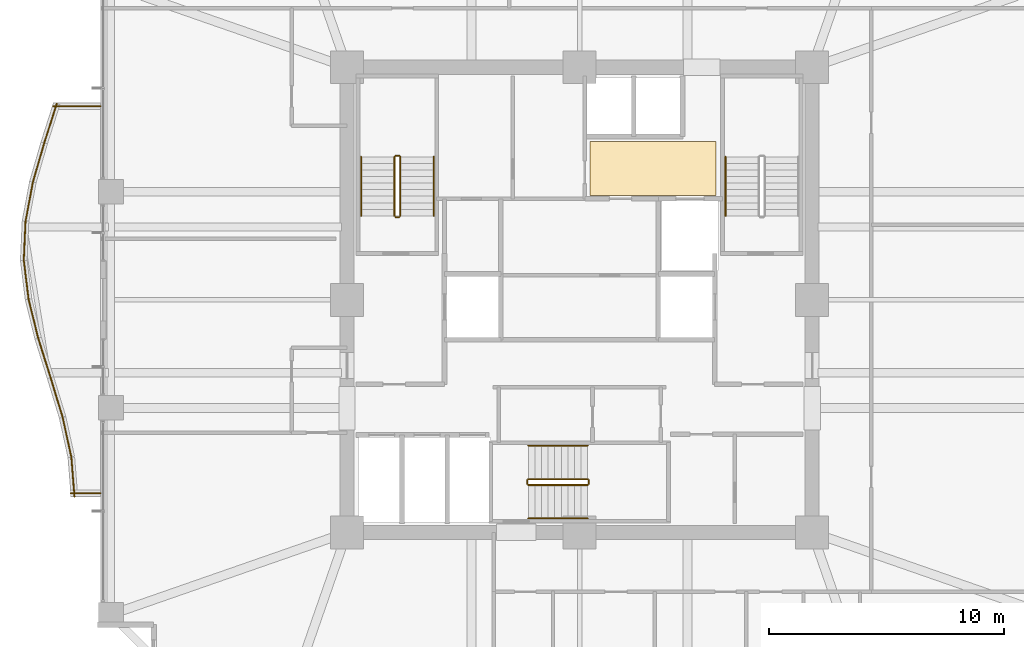
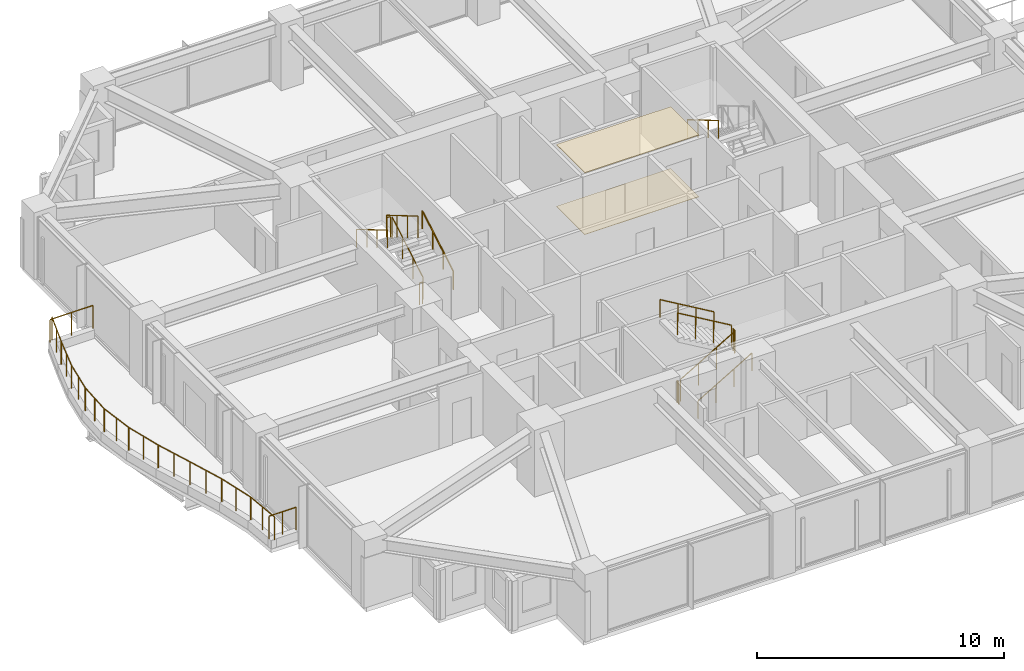
# One storey, part 35 of 36: 25 railings, 2 coverings.
"""IFC4 building model written with IfcOpenShell, lengths in metres."""

from ifc_helpers import new_model, si_unit, direction, frame, origin, origin_2d, place, context, subcontext, project, spatial, polyline, circle, outline, extrude, material, layer, layer_set, type_object, element, save


model = new_model("IFC4")

# Units and contexts
model_context = context("Model", 3, precision=1e-05, world=origin(), true_north=direction((0.0, 1.0)))
body_context = subcontext(model_context, "Body", "Model", "MODEL_VIEW")
ifc_project = project(units=[si_unit("LENGTHUNIT", "METRE"), si_unit("AREAUNIT", "SQUARE_METRE"), si_unit("VOLUMEUNIT", "CUBIC_METRE"), si_unit("PLANEANGLEUNIT", "RADIAN"), si_unit("MASSUNIT", "GRAM", prefix="KILO")], contexts=[model_context])

# Site, building, storey
site_placement = place(None, origin())
site = spatial("IfcSite", under=ifc_project, at=site_placement, CompositionType="ELEMENT")
building_placement = place(site_placement, origin())
building = spatial("IfcBuilding", under=site, at=building_placement, Name="Kolvaren Belvedere", CompositionType="ELEMENT")
storey_placement = place(building_placement, frame((0.0, 0.0, 92.0)))
storey = spatial("IfcBuildingStorey", under=building, at=storey_placement, Name="L26", CompositionType="ELEMENT", Elevation=92.0)

# Coverings
ifc_material_1 = material(Name="Acoustic perforated gypsum board", Category="gypsum")
ifc_layer_1 = layer(ifc_material_1, 0.02490234375)
ifc_layer_set_1 = layer_set([ifc_layer_1], Name="Acoustic perforated gypsum board")
covering_type_1 = type_object("IfcCoveringType", Name="COV-CEIL-GYP", PredefinedType="CEILING", material=ifc_layer_set_1)
covering_1_placement = place(storey_placement, frame((0.0, 0.0, 3.054931640625)))
element("IfcCovering", 1, at=covering_1_placement, inside=storey, type_object=covering_type_1, Name="L26 Lift Lobby Acoustic Baffle Ceiling", PredefinedType="CEILING", context=body_context, shape_type="SweptSolid", body=[
    extrude(outline(polyline([(0.449951171875, 4.449951171875), (5.800048828125, 4.449951171875), (5.800048828125, 6.75), (0.449951171875, 6.75), (0.449951171875, 4.449951171875)])), origin(), (0.0, 0.0, 1.0), 0.025146484375),
])
ifc_material_2 = material(Name="Engineered Pacific white oak", Category="timber")
ifc_layer_2 = layer(ifc_material_2, 0.02001953125)
ifc_layer_set_2 = layer_set([ifc_layer_2], Name="Engineered Pacific white oak")
covering_type_2 = type_object("IfcCoveringType", Name="COV-FLR-OAK", PredefinedType="FLOORING", material=ifc_layer_set_2)
covering_2_placement = place(storey_placement, origin())
element("IfcCovering", 2, at=covering_2_placement, inside=storey, type_object=covering_type_2, Name="L26 Lift Lobby Finish Flooring", PredefinedType="FLOORING", context=body_context, shape_type="SweptSolid", body=[
    extrude(outline(polyline([(0.449951171875, 4.449951171875), (5.800048828125, 4.449951171875), (5.800048828125, 6.75), (0.449951171875, 6.75), (0.449951171875, 4.449951171875)])), origin(), (0.0, 0.0, 1.0), 0.02001953125),
])

# Railings
ifc_material_3 = material(Name="Anodised pale-metal aluminium & laminated glass guard", Category="aluminium")
railing_type_1 = type_object("IfcRailingType", Name="RL-GUARD-1150", PredefinedType="GUARDRAIL", material=ifc_material_3)
railing_1_placement = place(storey_placement, frame((-22.25390625, 8.351318359375, 0.3798828125)))
element("IfcRailing", 3, at=railing_1_placement, inside=storey, type_object=railing_type_1, Name="L26 Exterior Deck Safety Guard BAL-W-1", PredefinedType="GUARDRAIL", context=body_context, shape_type="SweptSolid", body=[
    extrude(circle(Radius=0.02392578125, at=origin_2d()), frame((0.0, 0.0, 1.1259765625), z_axis=(-0.304032153573, -0.952661770826, 0.0), x_axis=(0.952661770826, -0.304032153573, 0.0)), (0.0, 0.0, 1.0), 1.763427734375),
    extrude(circle(Radius=0.02099609375, at=origin_2d()), origin(), (0.0, 0.0, 1.0), 1.101806640625),
    extrude(circle(Radius=0.02099609375, at=origin_2d()), frame((-0.26806640625, -0.83984375, 0.0)), (0.0, 0.0, 1.0), 1.101806640625),
    extrude(circle(Radius=0.02099609375, at=origin_2d()), frame((-0.5361328125, -1.679931640625, 0.0)), (0.0, 0.0, 1.0), 1.101806640625),
])
railing_2_placement = place(storey_placement, frame((-22.788818359375, 6.675537109375, 0.3798828125)))
element("IfcRailing", 4, at=railing_2_placement, inside=storey, type_object=railing_type_1, Name="L26 Exterior Deck Safety Guard BAL-W-2", PredefinedType="GUARDRAIL", context=body_context, shape_type="SweptSolid", body=[
    extrude(circle(Radius=0.02392578125, at=origin_2d()), frame((0.0, 0.0, 1.1259765625), z_axis=(-0.277817391164, -0.960633903819, 0.0), x_axis=(0.960633903819, -0.277817391164, 0.0)), (0.0, 0.0, 1.0), 1.748779296875),
    extrude(circle(Radius=0.02099609375, at=origin_2d()), origin(), (0.0, 0.0, 1.0), 1.101806640625),
    extrude(circle(Radius=0.02099609375, at=origin_2d()), frame((-0.242919921875, -0.83984375, 0.0)), (0.0, 0.0, 1.0), 1.101806640625),
    extrude(circle(Radius=0.02099609375, at=origin_2d()), frame((-0.48583984375, -1.679931640625, 0.0)), (0.0, 0.0, 1.0), 1.101806640625),
])
railing_3_placement = place(storey_placement, frame((-23.271240234375, 5.010498046875, 0.3798828125)))
element("IfcRailing", 5, at=railing_3_placement, inside=storey, type_object=railing_type_1, Name="L26 Exterior Deck Safety Guard BAL-W-3", PredefinedType="GUARDRAIL", context=body_context, shape_type="SweptSolid", body=[
    extrude(circle(Radius=0.02392578125, at=origin_2d()), frame((0.0, 0.0, 1.1259765625), z_axis=(-0.184650661912, -0.982804219087, 0.0), x_axis=(0.982804219087, -0.184650661912, 0.0)), (0.0, 0.0, 1.0), 1.70947265625),
    extrude(circle(Radius=0.02099609375, at=origin_2d()), origin(), (0.0, 0.0, 1.0), 1.101806640625),
    extrude(circle(Radius=0.02099609375, at=origin_2d()), frame((-0.15771484375, -0.840087890625, 0.0)), (0.0, 0.0, 1.0), 1.101806640625),
    extrude(circle(Radius=0.02099609375, at=origin_2d()), frame((-0.315673828125, -1.68017578125, 0.0)), (0.0, 0.0, 1.0), 1.101806640625),
])
railing_4_placement = place(storey_placement, frame((-23.58447265625, 3.352783203125, 0.3798828125)))
element("IfcRailing", 6, at=railing_4_placement, inside=storey, type_object=railing_type_1, Name="L26 Exterior Deck Safety Guard BAL-W-4", PredefinedType="GUARDRAIL", context=body_context, shape_type="SweptSolid", body=[
    extrude(circle(Radius=0.02392578125, at=origin_2d()), frame((0.0, 0.0, 1.1259765625), z_axis=(-0.045005941428, -0.998986719249, 0.0), x_axis=(0.998986719249, -0.045005941428, 0.0)), (0.0, 0.0, 1.0), 1.681640625),
    extrude(circle(Radius=0.02099609375, at=origin_2d()), origin(), (0.0, 0.0, 1.0), 1.101806640625),
    extrude(circle(Radius=0.02099609375, at=origin_2d()), frame((-0.037841796875, -0.83984375, 0.0)), (0.0, 0.0, 1.0), 1.101806640625),
    extrude(circle(Radius=0.02099609375, at=origin_2d()), frame((-0.07568359375, -1.679931640625, 0.0)), (0.0, 0.0, 1.0), 1.101806640625),
])
railing_5_placement = place(storey_placement, frame((-23.6611328125, 1.699462890625, 0.3798828125)))
element("IfcRailing", 7, at=railing_5_placement, inside=storey, type_object=railing_type_1, Name="L26 Exterior Deck Safety Guard BAL-W-5", PredefinedType="GUARDRAIL", context=body_context, shape_type="SweptSolid", body=[
    extrude(circle(Radius=0.02392578125, at=origin_2d()), frame((0.0, 0.0, 1.1259765625), z_axis=(0.121886315522, -0.99254406758, 0.0), x_axis=(0.99254406758, 0.121886315522, 0.0)), (0.0, 0.0, 1.0), 1.692626953125),
    extrude(circle(Radius=0.02099609375, at=origin_2d()), origin(), (0.0, 0.0, 1.0), 1.101806640625),
    extrude(circle(Radius=0.02099609375, at=origin_2d()), frame((0.10302734375, -0.83984375, 0.0)), (0.0, 0.0, 1.0), 1.101806640625),
    extrude(circle(Radius=0.02099609375, at=origin_2d()), frame((0.206298828125, -1.679931640625, 0.0)), (0.0, 0.0, 1.0), 1.101806640625),
])
railing_6_placement = place(storey_placement, frame((-23.458251953125, 0.038330078125, 0.3798828125)))
element("IfcRailing", 8, at=railing_6_placement, inside=storey, type_object=railing_type_1, Name="L26 Exterior Deck Safety Guard BAL-W-6", PredefinedType="GUARDRAIL", context=body_context, shape_type="SweptSolid", body=[
    extrude(circle(Radius=0.02392578125, at=origin_2d()), frame((0.0, 0.0, 1.1259765625), z_axis=(0.239180748277, -0.970975061293, 0.0), x_axis=(0.970975061293, 0.239180748277, 0.0)), (0.0, 0.0, 1.0), 1.730224609375),
    extrude(circle(Radius=0.02099609375, at=origin_2d()), origin(), (0.0, 0.0, 1.0), 1.101806640625),
    extrude(circle(Radius=0.02099609375, at=origin_2d()), frame((0.20703125, -0.83984375, 0.0)), (0.0, 0.0, 1.0), 1.101806640625),
    extrude(circle(Radius=0.02099609375, at=origin_2d()), frame((0.413818359375, -1.679931640625, 0.0)), (0.0, 0.0, 1.0), 1.101806640625),
])
railing_7_placement = place(storey_placement, frame((-23.047119140625, -1.632080078125, 0.3798828125)))
element("IfcRailing", 9, at=railing_7_placement, inside=storey, type_object=railing_type_1, Name="L26 Exterior Deck Safety Guard BAL-W-7", PredefinedType="GUARDRAIL", context=body_context, shape_type="SweptSolid", body=[
    extrude(circle(Radius=0.02392578125, at=origin_2d()), frame((0.0, 0.0, 1.1259765625), z_axis=(0.299624691176, -0.954057149461, 0.0), x_axis=(0.954057149461, 0.299624691176, 0.0)), (0.0, 0.0, 1.0), 1.7607421875),
    extrude(circle(Radius=0.02099609375, at=origin_2d()), origin(), (0.0, 0.0, 1.0), 1.101806640625),
    extrude(circle(Radius=0.02099609375, at=origin_2d()), frame((0.263671875, -0.83984375, 0.0)), (0.0, 0.0, 1.0), 1.101806640625),
    extrude(circle(Radius=0.02099609375, at=origin_2d()), frame((0.527587890625, -1.679931640625, 0.0)), (0.0, 0.0, 1.0), 1.101806640625),
])
railing_8_placement = place(storey_placement, frame((-22.51904296875, -3.3134765625, 0.3798828125)))
element("IfcRailing", 10, at=railing_8_placement, inside=storey, type_object=railing_type_1, Name="L26 Exterior Deck Safety Guard BAL-W-8", PredefinedType="GUARDRAIL", context=body_context, shape_type="SweptSolid", body=[
    extrude(circle(Radius=0.02392578125, at=origin_2d()), frame((0.0, 0.0, 1.1259765625), z_axis=(0.290879426191, -0.956759718748, 0.0), x_axis=(0.956759718748, 0.290879426191, 0.0)), (0.0, 0.0, 1.0), 1.755859375),
    extrude(circle(Radius=0.02099609375, at=origin_2d()), origin(), (0.0, 0.0, 1.0), 1.101806640625),
    extrude(circle(Radius=0.02099609375, at=origin_2d()), frame((0.25537109375, -0.83984375, 0.0)), (0.0, 0.0, 1.0), 1.101806640625),
    extrude(circle(Radius=0.02099609375, at=origin_2d()), frame((0.5107421875, -1.679931640625, 0.0)), (0.0, 0.0, 1.0), 1.101806640625),
])
railing_9_placement = place(storey_placement, frame((-22.0048828125, -5.005859375, 0.3798828125)))
element("IfcRailing", 11, at=railing_9_placement, inside=storey, type_object=railing_type_1, Name="L26 Exterior Deck Safety Guard BAL-W-9", PredefinedType="GUARDRAIL", context=body_context, shape_type="SweptSolid", body=[
    extrude(circle(Radius=0.02392578125, at=origin_2d()), frame((0.0, 0.0, 1.1259765625), z_axis=(0.213802724545, -0.976876857632, 0.0), x_axis=(0.976876857632, 0.213802724545, 0.0)), (0.0, 0.0, 1.0), 1.7197265625),
    extrude(circle(Radius=0.02099609375, at=origin_2d()), origin(), (0.0, 0.0, 1.0), 1.101806640625),
    extrude(circle(Radius=0.02099609375, at=origin_2d()), frame((0.183837890625, -0.83984375, 0.0)), (0.0, 0.0, 1.0), 1.101806640625),
    extrude(circle(Radius=0.02099609375, at=origin_2d()), frame((0.36767578125, -1.679931640625, 0.0)), (0.0, 0.0, 1.0), 1.101806640625),
])
railing_10_placement = place(storey_placement, frame((-21.634033203125, -6.707275390625, 0.3798828125)))
element("IfcRailing", 12, at=railing_10_placement, inside=storey, type_object=railing_type_1, Name="L26 Exterior Deck Safety Guard BAL-W-10", PredefinedType="GUARDRAIL", context=body_context, shape_type="SweptSolid", body=[
    extrude(circle(Radius=0.02392578125, at=origin_2d()), frame((0.0, 0.0, 1.1259765625), z_axis=(0.079244268248, -0.99685522818, 0.0), x_axis=(0.99685522818, 0.079244268248, 0.0)), (0.0, 0.0, 1.0), 1.685302734375),
    extrude(circle(Radius=0.02099609375, at=origin_2d()), origin(), (0.0, 0.0, 1.0), 1.101806640625),
    extrude(circle(Radius=0.02099609375, at=origin_2d()), frame((0.06689453125, -0.83984375, 0.0)), (0.0, 0.0, 1.0), 1.101806640625),
    extrude(circle(Radius=0.02099609375, at=origin_2d()), frame((0.133544921875, -1.679931640625, 0.0)), (0.0, 0.0, 1.0), 1.101806640625),
])
railing_11_placement = place(storey_placement, frame((-21.659912109375, -8.239990234375, 0.3798828125)))
element("IfcRailing", 13, at=railing_11_placement, inside=storey, type_object=railing_type_1, Name="L26 Exterior Deck Safety Guard BAL-W-11", PredefinedType="GUARDRAIL", context=body_context, shape_type="SweptSolid", body=[
    extrude(circle(Radius=0.02392578125, at=origin_2d()), frame((0.0, 0.0, 1.1259765625), z_axis=(1.0, 0.0, 0.0), x_axis=(0.0, 1.0, 0.0)), (0.0, 0.0, 1.0), 1.260009765625),
    extrude(circle(Radius=0.02099609375, at=origin_2d()), origin(), (0.0, 0.0, 1.0), 1.101806640625),
    extrude(circle(Radius=0.02099609375, at=origin_2d()), frame((0.6298828125, 0.0, 0.0)), (0.0, 0.0, 1.0), 1.101806640625),
    extrude(circle(Radius=0.02099609375, at=origin_2d()), frame((1.260009765625, 0.0, 0.0)), (0.0, 0.0, 1.0), 1.101806640625),
])
railing_12_placement = place(storey_placement, frame((-20.39990234375, 8.239990234375, 0.3798828125)))
element("IfcRailing", 14, at=railing_12_placement, inside=storey, type_object=railing_type_1, Name="L26 Exterior Deck Safety Guard BAL-W-22", PredefinedType="GUARDRAIL", context=body_context, shape_type="SweptSolid", body=[
    extrude(circle(Radius=0.02392578125, at=origin_2d()), frame((0.0, 0.0, 1.1259765625), z_axis=(-1.0, 0.0, 0.0), x_axis=(0.0, -1.0, 0.0)), (0.0, 0.0, 1.0), 2.00634765625),
    extrude(circle(Radius=0.02099609375, at=origin_2d()), origin(), (0.0, 0.0, 1.0), 1.101806640625),
    extrude(circle(Radius=0.02099609375, at=origin_2d()), frame((-1.003173828125, 0.0, 0.0)), (0.0, 0.0, 1.0), 1.101806640625),
    extrude(circle(Radius=0.02099609375, at=origin_2d()), frame((-2.00634765625, 0.0, 0.0)), (0.0, 0.0, 1.0), 1.101806640625),
])
ifc_material_4 = material(Name="Brushed stainless-steel handrail", Category="steel")
railing_type_2 = type_object("IfcRailingType", Name="RL-HANDRAIL-920", PredefinedType="HANDRAIL", material=ifc_material_4)
railing_13_placement = place(storey_placement, frame((-6.2099609375, 3.570068359375, 0.1650390625)))
element("IfcRailing", 15, at=railing_13_placement, inside=storey, type_object=railing_type_2, Name="L26 ST-1 stair handrail 1", PredefinedType="HANDRAIL", context=body_context, shape_type="SweptSolid", body=[
    extrude(circle(Radius=0.02392578125, at=origin_2d()), frame((0.0, 0.0, 0.8759765625), z_axis=(0.0, 0.861560626758, 0.507654692109), x_axis=(-1.0, 0.0, 0.0)), (0.0, 0.0, 1.0), 2.925048828125),
    extrude(circle(Radius=0.02099609375, at=origin_2d()), origin(), (0.0, 0.0, 1.0), 0.851806640625),
    extrude(circle(Radius=0.02099609375, at=origin_2d()), frame((0.0, 0.840087890625, 0.494873046875)), (0.0, 0.0, 1.0), 0.851806640625),
    extrude(circle(Radius=0.02099609375, at=origin_2d()), frame((0.0, 1.679931640625, 0.989990234375)), (0.0, 0.0, 1.0), 0.851806640625),
    extrude(circle(Radius=0.02099609375, at=origin_2d()), frame((0.0, 2.52001953125, 1.48486328125)), (0.0, 0.0, 1.0), 0.851806640625),
])
for number, where, name in (
    (16, (-9.300048828125, 6.090087890625, 1.81494140625), "L26 ST-1 stair handrail 2"),
    (17, (6.2099609375, 6.090087890625, 1.81494140625), "L26 ST-2 stair handrail 2"),
):
    element("IfcRailing", number, at=place(storey_placement, frame(where)), inside=storey, type_object=railing_type_2, Name=name, PredefinedType="HANDRAIL", context=body_context, shape_type="SweptSolid", body=[
        extrude(circle(Radius=0.02392578125, at=origin_2d()), frame((0.0, 0.0, 0.8759765625), z_axis=(0.0, -0.86152411907, 0.507716645641), x_axis=(1.0, 0.0, 0.0)), (0.0, 0.0, 1.0), 2.925048828125),
        extrude(circle(Radius=0.02099609375, at=origin_2d()), origin(), (0.0, 0.0, 1.0), 0.851806640625),
        extrude(circle(Radius=0.02099609375, at=origin_2d()), frame((0.0, -0.840087890625, 0.4951171875)), (0.0, 0.0, 1.0), 0.851806640625),
        extrude(circle(Radius=0.02099609375, at=origin_2d()), frame((0.0, -1.679931640625, 0.989990234375)), (0.0, 0.0, 1.0), 0.851806640625),
        extrude(circle(Radius=0.02099609375, at=origin_2d()), frame((0.0, -2.52001953125, 1.485107421875)), (0.0, 0.0, 1.0), 0.851806640625),
    ])
railing_14_placement = place(storey_placement, frame((-2.179931640625, -9.300048828125, 0.1650390625)))
element("IfcRailing", 18, at=railing_14_placement, inside=storey, type_object=railing_type_2, Name="L26 ST-3 stair handrail 1", PredefinedType="HANDRAIL", context=body_context, shape_type="SweptSolid", body=[
    extrude(circle(Radius=0.02392578125, at=origin_2d()), frame((0.0, 0.0, 0.8759765625), z_axis=(0.861560626758, 0.0, 0.507654692109), x_axis=(0.0, 1.0, 0.0)), (0.0, 0.0, 1.0), 2.925048828125),
    extrude(circle(Radius=0.02099609375, at=origin_2d()), origin(), (0.0, 0.0, 1.0), 0.851806640625),
    extrude(circle(Radius=0.02099609375, at=origin_2d()), frame((0.840087890625, 0.0, 0.494873046875)), (0.0, 0.0, 1.0), 0.851806640625),
    extrude(circle(Radius=0.02099609375, at=origin_2d()), frame((1.679931640625, 0.0, 0.989990234375)), (0.0, 0.0, 1.0), 0.851806640625),
    extrude(circle(Radius=0.02099609375, at=origin_2d()), frame((2.52001953125, 0.0, 1.48486328125)), (0.0, 0.0, 1.0), 0.851806640625),
])
railing_15_placement = place(storey_placement, frame((0.340087890625, -6.2099609375, 1.81494140625)))
element("IfcRailing", 19, at=railing_15_placement, inside=storey, type_object=railing_type_2, Name="L26 ST-3 stair handrail 2", PredefinedType="HANDRAIL", context=body_context, shape_type="SweptSolid", body=[
    extrude(circle(Radius=0.02392578125, at=origin_2d()), frame((0.0, 0.0, 0.8759765625), z_axis=(-0.86152411907, 0.0, 0.507716645641), x_axis=(0.0, -1.0, 0.0)), (0.0, 0.0, 1.0), 2.925048828125),
    extrude(circle(Radius=0.02099609375, at=origin_2d()), origin(), (0.0, 0.0, 1.0), 0.851806640625),
    extrude(circle(Radius=0.02099609375, at=origin_2d()), frame((-0.840087890625, 0.0, 0.4951171875)), (0.0, 0.0, 1.0), 0.851806640625),
    extrude(circle(Radius=0.02099609375, at=origin_2d()), frame((-1.679931640625, 0.0, 0.989990234375)), (0.0, 0.0, 1.0), 0.851806640625),
    extrude(circle(Radius=0.02099609375, at=origin_2d()), frame((-2.52001953125, 0.0, 1.485107421875)), (0.0, 0.0, 1.0), 0.851806640625),
])
ifc_material_5 = material(Name="Painted tubular steel stair guard", Category="steel")
railing_type_3 = type_object("IfcRailingType", Name="RL-STGUARD-1100", PredefinedType="GUARDRAIL", material=ifc_material_5)
railing_16_placement = place(storey_placement, frame((-7.6298828125, 3.570068359375, 0.1650390625)))
element("IfcRailing", 20, at=railing_16_placement, inside=storey, type_object=railing_type_3, Name="L26 ST-1 stair guard 1", PredefinedType="GUARDRAIL", context=body_context, shape_type="SweptSolid", body=[
    extrude(circle(Radius=0.02392578125, at=origin_2d()), frame((0.0, 0.0, 1.076171875), z_axis=(0.0, 0.861560626758, 0.507654692109), x_axis=(-1.0, 0.0, 0.0)), (0.0, 0.0, 1.0), 2.925048828125),
    extrude(circle(Radius=0.02099609375, at=origin_2d()), origin(), (0.0, 0.0, 1.0), 1.052001953125),
    extrude(circle(Radius=0.02099609375, at=origin_2d()), frame((0.0, 0.840087890625, 0.494873046875)), (0.0, 0.0, 1.0), 1.052001953125),
    extrude(circle(Radius=0.02099609375, at=origin_2d()), frame((0.0, 1.679931640625, 0.989990234375)), (0.0, 0.0, 1.0), 1.052001953125),
    extrude(circle(Radius=0.02099609375, at=origin_2d()), frame((0.0, 2.52001953125, 1.48486328125)), (0.0, 0.0, 1.0), 1.052001953125),
])
railing_17_placement = place(storey_placement, frame((-7.679931640625, 6.139892578125, 1.64990234375)))
element("IfcRailing", 21, at=railing_17_placement, inside=storey, type_object=railing_type_3, Name="L26 ST-1 stair guard 2", PredefinedType="GUARDRAIL", context=body_context, shape_type="SweptSolid", body=[
    extrude(circle(Radius=0.02392578125, at=origin_2d()), frame((0.0, 0.0, 1.076171875), z_axis=(-1.0, 0.0, 0.0), x_axis=(0.0, -1.0, 0.0)), (0.0, 0.0, 1.0), 0.150146484375),
    extrude(circle(Radius=0.02099609375, at=origin_2d()), origin(), (0.0, 0.0, 1.0), 1.052001953125),
    extrude(circle(Radius=0.02099609375, at=origin_2d()), frame((-0.150146484375, 0.0, 0.0)), (0.0, 0.0, 1.0), 1.052001953125),
])
railing_18_placement = place(storey_placement, frame((-7.8798828125, 6.090087890625, 1.81494140625)))
element("IfcRailing", 22, at=railing_18_placement, inside=storey, type_object=railing_type_3, Name="L26 ST-1 stair guard 3", PredefinedType="GUARDRAIL", context=body_context, shape_type="SweptSolid", body=[
    extrude(circle(Radius=0.02392578125, at=origin_2d()), frame((0.0, 0.0, 1.076171875), z_axis=(0.0, -0.86152411907, 0.507716645641), x_axis=(1.0, 0.0, 0.0)), (0.0, 0.0, 1.0), 2.925048828125),
    extrude(circle(Radius=0.02099609375, at=origin_2d()), origin(), (0.0, 0.0, 1.0), 1.052001953125),
    extrude(circle(Radius=0.02099609375, at=origin_2d()), frame((0.0, -0.840087890625, 0.4951171875)), (0.0, 0.0, 1.0), 1.052001953125),
    extrude(circle(Radius=0.02099609375, at=origin_2d()), frame((0.0, -1.679931640625, 0.989990234375)), (0.0, 0.0, 1.0), 1.052001953125),
    extrude(circle(Radius=0.02099609375, at=origin_2d()), frame((0.0, -2.52001953125, 1.485107421875)), (0.0, 0.0, 1.0), 1.052001953125),
])
railing_19_placement = place(storey_placement, frame((-7.679931640625, 3.52001953125, 0.0)))
element("IfcRailing", 23, at=railing_19_placement, inside=storey, type_object=railing_type_3, Name="L26 ST-1 stair guard 4", PredefinedType="GUARDRAIL", context=body_context, shape_type="SweptSolid", body=[
    extrude(circle(Radius=0.02392578125, at=origin_2d()), frame((0.0, 0.0, 1.076171875), z_axis=(-1.0, 0.0, 0.0), x_axis=(0.0, -1.0, 0.0)), (0.0, 0.0, 1.0), 0.150146484375),
    extrude(circle(Radius=0.02099609375, at=origin_2d()), origin(), (0.0, 0.0, 1.0), 1.052001953125),
    extrude(circle(Radius=0.02099609375, at=origin_2d()), frame((-0.150146484375, 0.0, 0.0)), (0.0, 0.0, 1.0), 1.052001953125),
])
railing_20_placement = place(storey_placement, frame((-2.179931640625, -7.8798828125, 0.1650390625)))
element("IfcRailing", 24, at=railing_20_placement, inside=storey, type_object=railing_type_3, Name="L26 ST-3 stair guard 1", PredefinedType="GUARDRAIL", context=body_context, shape_type="SweptSolid", body=[
    extrude(circle(Radius=0.02392578125, at=origin_2d()), frame((0.0, 0.0, 1.076171875), z_axis=(0.861560626758, 0.0, 0.507654692109), x_axis=(0.0, 1.0, 0.0)), (0.0, 0.0, 1.0), 2.925048828125),
    extrude(circle(Radius=0.02099609375, at=origin_2d()), origin(), (0.0, 0.0, 1.0), 1.052001953125),
    extrude(circle(Radius=0.02099609375, at=origin_2d()), frame((0.840087890625, 0.0, 0.494873046875)), (0.0, 0.0, 1.0), 1.052001953125),
    extrude(circle(Radius=0.02099609375, at=origin_2d()), frame((1.679931640625, 0.0, 0.989990234375)), (0.0, 0.0, 1.0), 1.052001953125),
    extrude(circle(Radius=0.02099609375, at=origin_2d()), frame((2.52001953125, 0.0, 1.48486328125)), (0.0, 0.0, 1.0), 1.052001953125),
])
railing_21_placement = place(storey_placement, frame((0.389892578125, -7.830078125, 1.64990234375)))
element("IfcRailing", 25, at=railing_21_placement, inside=storey, type_object=railing_type_3, Name="L26 ST-3 stair guard 2", PredefinedType="GUARDRAIL", context=body_context, shape_type="SweptSolid", body=[
    extrude(circle(Radius=0.02392578125, at=origin_2d()), frame((0.0, 0.0, 1.076171875), z_axis=(0.0, 1.0, 0.0), x_axis=(-1.0, 0.0, 0.0)), (0.0, 0.0, 1.0), 0.150146484375),
    extrude(circle(Radius=0.02099609375, at=origin_2d()), origin(), (0.0, 0.0, 1.0), 1.052001953125),
    extrude(circle(Radius=0.02099609375, at=origin_2d()), frame((0.0, 0.150146484375, 0.0)), (0.0, 0.0, 1.0), 1.052001953125),
])
railing_22_placement = place(storey_placement, frame((0.340087890625, -7.6298828125, 1.81494140625)))
element("IfcRailing", 26, at=railing_22_placement, inside=storey, type_object=railing_type_3, Name="L26 ST-3 stair guard 3", PredefinedType="GUARDRAIL", context=body_context, shape_type="SweptSolid", body=[
    extrude(circle(Radius=0.02392578125, at=origin_2d()), frame((0.0, 0.0, 1.076171875), z_axis=(-0.86152411907, 0.0, 0.507716645641), x_axis=(0.0, -1.0, 0.0)), (0.0, 0.0, 1.0), 2.925048828125),
    extrude(circle(Radius=0.02099609375, at=origin_2d()), origin(), (0.0, 0.0, 1.0), 1.052001953125),
    extrude(circle(Radius=0.02099609375, at=origin_2d()), frame((-0.840087890625, 0.0, 0.4951171875)), (0.0, 0.0, 1.0), 1.052001953125),
    extrude(circle(Radius=0.02099609375, at=origin_2d()), frame((-1.679931640625, 0.0, 0.989990234375)), (0.0, 0.0, 1.0), 1.052001953125),
    extrude(circle(Radius=0.02099609375, at=origin_2d()), frame((-2.52001953125, 0.0, 1.485107421875)), (0.0, 0.0, 1.0), 1.052001953125),
])
railing_23_placement = place(storey_placement, frame((-2.22998046875, -7.830078125, 0.0)))
element("IfcRailing", 27, at=railing_23_placement, inside=storey, type_object=railing_type_3, Name="L26 ST-3 stair guard 4", PredefinedType="GUARDRAIL", context=body_context, shape_type="SweptSolid", body=[
    extrude(circle(Radius=0.02392578125, at=origin_2d()), frame((0.0, 0.0, 1.076171875), z_axis=(0.0, 1.0, 0.0), x_axis=(-1.0, 0.0, 0.0)), (0.0, 0.0, 1.0), 0.150146484375),
    extrude(circle(Radius=0.02099609375, at=origin_2d()), origin(), (0.0, 0.0, 1.0), 1.052001953125),
    extrude(circle(Radius=0.02099609375, at=origin_2d()), frame((0.0, 0.150146484375, 0.0)), (0.0, 0.0, 1.0), 1.052001953125),
])

save(model, "model.ifc")
